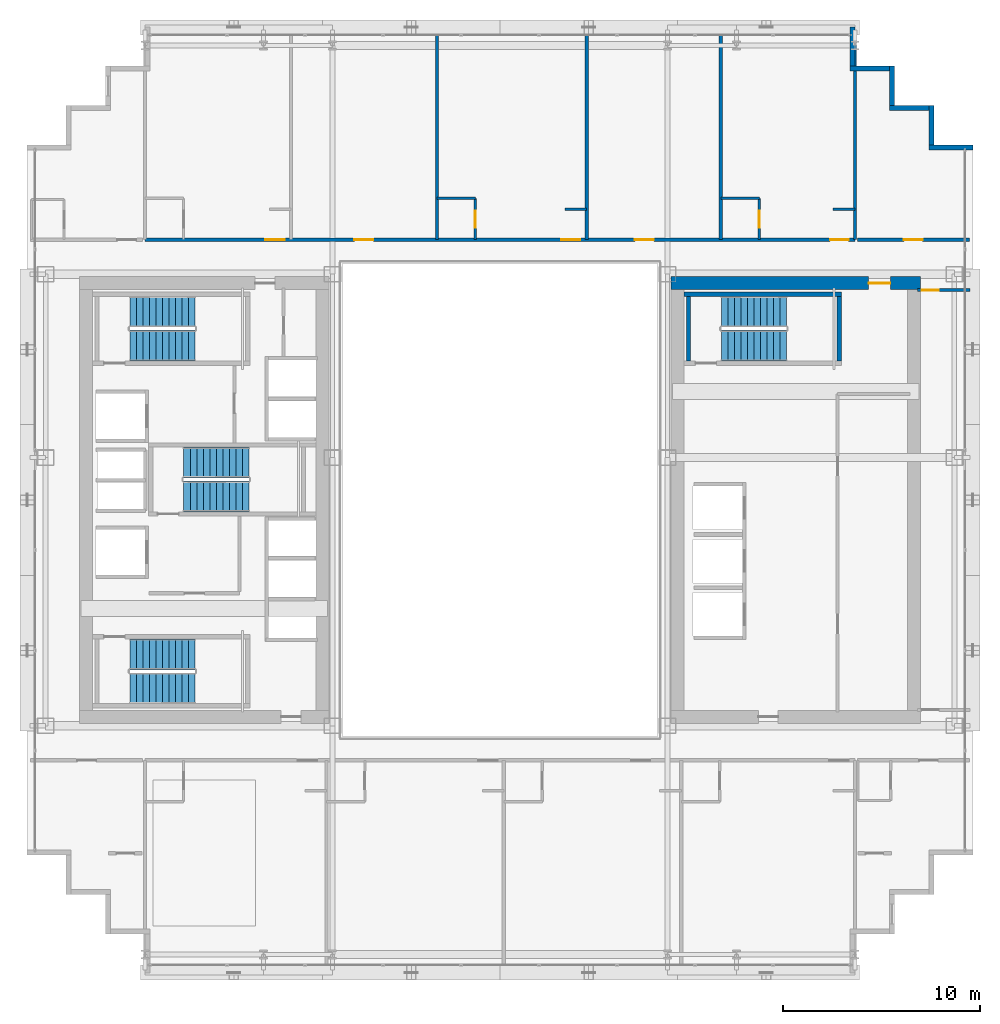
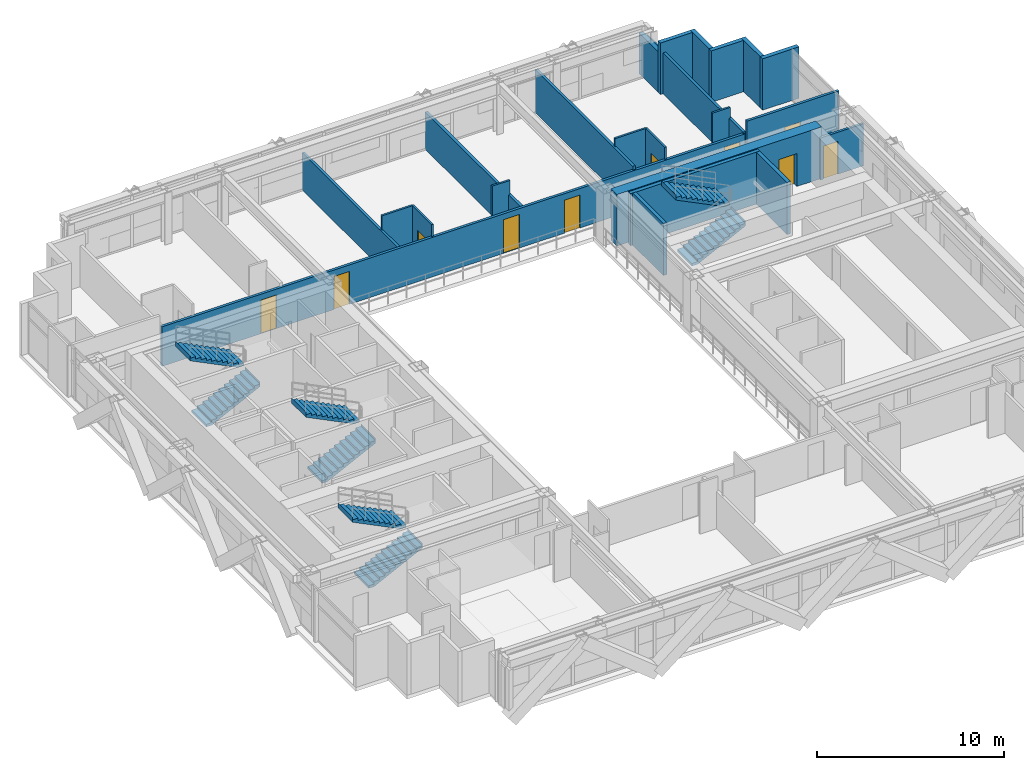
# One storey, part 30 of 34: 23 walls, 10 doors, 8 stair flights, 10 openings, 4 elements without a shape of their own.
"""IFC4 building model written with IfcOpenShell, lengths in metres."""

from ifc_helpers import new_model, si_unit, direction, frame, frame_2d, origin, place, context, subcontext, project, spatial, polyline, rectangle, outline, extrude, source, transform, mapped, material, layer, layer_set, type_object, element, fill, aggregate, save


model = new_model("IFC4")

# Units and contexts
model_context = context("Model", 3, precision=1e-05, world=origin(), true_north=direction((0.0, 1.0)))
body_context = subcontext(model_context, "Body", "Model", "MODEL_VIEW")
ifc_project = project(units=[si_unit("LENGTHUNIT", "METRE"), si_unit("AREAUNIT", "SQUARE_METRE"), si_unit("VOLUMEUNIT", "CUBIC_METRE"), si_unit("PLANEANGLEUNIT", "RADIAN"), si_unit("MASSUNIT", "GRAM", prefix="KILO")], contexts=[model_context])

# Site, building, storey
site_placement = place(None, origin())
site = spatial("IfcSite", under=ifc_project, at=site_placement, CompositionType="ELEMENT")
building_placement = place(site_placement, origin())
building = spatial("IfcBuilding", under=site, at=building_placement, Name="Ocotamira Hotel", CompositionType="ELEMENT")
storey_placement = place(building_placement, frame((0.0, 0.0, 111.60009765625)))
storey = spatial("IfcBuildingStorey", under=building, at=storey_placement, Name="L27", CompositionType="ELEMENT", Elevation=111.60009765625)

# Wall, opening, door
ifc_material_1 = material(Name="Concrete C60/75", Category="concrete")
ifc_layer_1 = layer(ifc_material_1, 0.64990234375)
ifc_layer_set_1 = layer_set([ifc_layer_1], Name="Concrete C60/75")
wall_type_1 = type_object("IfcWallType", Name="WL-CORE-650", PredefinedType="SHEAR", material=ifc_layer_set_1)
wall_1_placement = place(storey_placement, frame((40.675048828125, 37.0, 0.0), z_axis=(0.0, 0.0, 1.0), x_axis=(1.0, 0.0, 0.0)))
wall_1 = element("IfcWall", 1, at=wall_1_placement, inside=storey, type_object=wall_type_1, Name="L27 Shear Core Wall ECORE-N", PredefinedType="SHEAR", context=body_context, shape_type="SweptSolid", body=[
    extrude(rectangle(XDim=12.64990234375, YDim=0.64990234375, at=frame_2d((6.324951171875, 0.0))), origin(), (0.0, 0.0, 1.0), 3.35986328125),
])
opening_1_placement = place(wall_1_placement, frame((10.02490234375, 0.0, 0.0)))
opening_1 = element("IfcOpeningElement", 2, at=opening_1_placement, cuts=wall_1, Name="Opening D-FR1", PredefinedType="OPENING", context=body_context, shape_type="SweptSolid", body=[
    extrude(rectangle(XDim=1.10009765625, YDim=2.14990234375, at=frame_2d((0.550048828125, 1.074951171875))), frame((0.0, 0.3349609375, 0.0), z_axis=(0.0, -1.0, 0.0), x_axis=(1.0, 0.0, 0.0)), (0.0, 0.0, 1.0), 0.669921875),
])
ifc_material_2 = material(Name="Fire-rated acoustic timber-veneer door", Category="wood")
door_type_1 = type_object("IfcDoorType", Name="DR-FIRE-1100", OperationType="NOTDEFINED", PredefinedType="DOOR", material=ifc_material_2)
shared_shape_1 = source(origin(), body_context, "Body", "SweptSolid", [
    extrude(rectangle(XDim=1.10009765625, YDim=2.14990234375, at=frame_2d((0.550048828125, 1.074951171875))), frame((0.0, 0.02490234375, 0.0), z_axis=(0.0, -1.0, 0.0), x_axis=(1.0, 0.0, 0.0)), (0.0, 0.0, 1.0), 0.050048828125),
])
door_1_placement = place(opening_1_placement, origin())
door_1 = element("IfcDoor", 3, at=door_1_placement, inside=storey, type_object=door_type_1, Name="L27 Door ID-L27-ELOB-N-D [ID-L27-ELOB-N-D]", OperationType="SINGLE_SWING_LEFT", OverallHeight=2.14990234375, OverallWidth=1.10009765625, PredefinedType="DOOR", context=body_context, shape_type="MappedRepresentation", body=[
    mapped(shared_shape_1, transform((0.0, 0.0, 0.0), scale=1.0)),
])
fill(opening_1, door_1)

# Walls
ifc_material_3 = material(Name="Precast concrete C45/55", Category="concrete")
ifc_layer_2 = layer(ifc_material_3, 0.25)
ifc_layer_set_2 = layer_set([ifc_layer_2], Name="Precast concrete C45/55")
wall_type_2 = type_object("IfcWallType", Name="WL-EXT-SER-250", PredefinedType="SOLIDWALL", material=ifc_layer_set_2)
wall_2_placement = place(storey_placement, frame((56.0, 43.875, 0.0), z_axis=(0.0, 0.0, 1.0), x_axis=(-1.0, 0.0, 0.0)))
element("IfcWall", 4, at=wall_2_placement, inside=storey, type_object=wall_type_2, Name="L27 Serrated Corner Wall 07", PredefinedType="SOLIDWALL", context=body_context, shape_type="SweptSolid", body=[
    extrude(rectangle(XDim=2.25, YDim=0.25, at=frame_2d((1.125, 0.0))), origin(), (0.0, 0.0, 1.0), 3.35986328125),
])
for number, where, z_axis, x_axis, name in (
    (5, (53.875, 44.0, 0.0), (0.0, 0.0, 1.0), (0.0, 1.0, 0.0), "L27 Serrated Corner Wall 08"),
    (6, (53.75, 45.875, 0.0), (0.0, 0.0, 1.0), (-1.0, 0.0, 0.0), "L27 Serrated Corner Wall 09"),
    (7, (51.875, 46.0, 0.0), (0.0, 0.0, 1.0), (0.0, 1.0, 0.0), "L27 Serrated Corner Wall 10"),
    (8, (51.75, 47.875, 0.0), (0.0, 0.0, 1.0), (-1.0, 0.0, 0.0), "L27 Serrated Corner Wall 11"),
):
    element("IfcWall", number, at=place(storey_placement, frame(where, z_axis=z_axis, x_axis=x_axis)), inside=storey, type_object=wall_type_2, Name=name, PredefinedType="SOLIDWALL", context=body_context, shape_type="SweptSolid", body=[
        extrude(rectangle(XDim=2.0, YDim=0.25, at=frame_2d((1.0, 0.0))), origin(), (0.0, 0.0, 1.0), 3.35986328125),
    ])
wall_3_placement = place(storey_placement, frame((49.875, 48.0, 0.0), z_axis=(0.0, 0.0, 1.0), x_axis=(0.0, 1.0, 0.0)))
element("IfcWall", 9, at=wall_3_placement, inside=storey, type_object=wall_type_2, Name="L27 Serrated Corner Wall 12", PredefinedType="SOLIDWALL", context=body_context, shape_type="SweptSolid", body=[
    extrude(rectangle(XDim=2.0, YDim=0.25, at=frame_2d((1.0, 0.0))), origin(), (0.0, 0.0, 1.0), 2.6669921875),
])

# Wall, opening, door
ifc_material_4 = material(Name="Acoustic double-layer fire gypsum board partition", Category="gypsum")
ifc_layer_3 = layer(ifc_material_4, 0.159912109375)
ifc_layer_set_3 = layer_set([ifc_layer_3], Name="Acoustic double-layer fire gypsum board partition")
wall_type_3 = type_object("IfcWallType", Name="WL-FIRE-160", PredefinedType="PARTITIONING", material=ifc_layer_set_3)
wall_4_placement = place(storey_placement, frame((50.1201171875, 39.199951171875, 0.0), z_axis=(0.0, 0.0, 1.0), x_axis=(1.0, 0.0, 0.0)))
wall_4 = element("IfcWall", 10, at=wall_4_placement, inside=storey, type_object=wall_type_3, Name="L27 Interior Wall PW-L27-Z2B-CNE-CW", PredefinedType="PARTITIONING", context=body_context, shape_type="SweptSolid", body=[
    extrude(rectangle(XDim=5.679931640625, YDim=0.159912109375, at=frame_2d((2.83984375, 0.0))), origin(), (0.0, 0.0, 1.0), 3.35986328125),
])
opening_2_placement = place(wall_4_placement, frame((2.360107421875, 0.0, 0.0)))
opening_2 = element("IfcOpeningElement", 11, at=opening_2_placement, cuts=wall_4, Name="Opening D-SV4", PredefinedType="OPENING", context=body_context, shape_type="SweptSolid", body=[
    extrude(rectangle(XDim=0.9599609375, YDim=2.14990234375, at=frame_2d((0.47998046875, 1.074951171875))), frame((0.0, 0.08984375, 0.0), z_axis=(0.0, -1.0, 0.0), x_axis=(1.0, 0.0, 0.0)), (0.0, 0.0, 1.0), 0.179931640625),
])
ifc_material_5 = material(Name="Fire-rated accessible walnut salon door", Category="wood")
door_type_2 = type_object("IfcDoorType", Name="DR-SERV-960", OperationType="NOTDEFINED", PredefinedType="DOOR", material=ifc_material_5)
shared_shape_2 = source(origin(), body_context, "Body", "SweptSolid", [
    extrude(rectangle(XDim=0.9599609375, YDim=2.14990234375, at=frame_2d((0.47998046875, 1.074951171875))), frame((0.0, 0.02490234375, 0.0), z_axis=(0.0, -1.0, 0.0), x_axis=(1.0, 0.0, 0.0)), (0.0, 0.0, 1.0), 0.050048828125),
])
door_2_placement = place(opening_2_placement, origin())
door_2 = element("IfcDoor", 12, at=door_2_placement, inside=storey, type_object=door_type_2, Name="L27 Door ID-L27-Z2B-CNE-CD [ID-L27-Z2B-CNE-CD]", OperationType="SINGLE_SWING_LEFT", OverallHeight=2.14990234375, OverallWidth=0.9599609375, PredefinedType="DOOR", context=body_context, shape_type="MappedRepresentation", body=[
    mapped(shared_shape_2, transform((0.0, 0.0, 0.0), scale=1.0)),
])
fill(opening_2, door_2)

# Wall, openings, doors
wall_5_placement = place(storey_placement, frame((14.0, 39.199951171875, 0.0), z_axis=(0.0, 0.0, 1.0), x_axis=(1.0, 0.0, 0.0)))
wall_5 = element("IfcWall", 13, at=wall_5_placement, inside=storey, type_object=wall_type_3, Name="L27 Interior Wall PW-L27-Z2BN-CORRW", PredefinedType="PARTITIONING", context=body_context, shape_type="SweptSolid", body=[
    extrude(rectangle(XDim=36.0, YDim=0.159912109375, at=frame_2d((18.0, 0.0))), origin(), (0.0, 0.0, 1.0), 2.580810546875),
])
opening_3_placement = place(wall_5_placement, frame((6.10009765625, 0.0, 0.0)))
opening_3 = element("IfcOpeningElement", 14, at=opening_3_placement, cuts=wall_5, Name="Opening D-GR2", PredefinedType="OPENING", context=body_context, shape_type="SweptSolid", body=[
    extrude(rectangle(XDim=0.97998046875, YDim=2.199951171875, at=frame_2d((0.489990234375, 1.10009765625))), frame((0.0, 0.08984375, 0.0), z_axis=(0.0, -1.0, 0.0), x_axis=(1.0, 0.0, 0.0)), (0.0, 0.0, 1.0), 0.179931640625),
])
opening_4_placement = place(wall_5_placement, frame((10.6201171875, 0.0, 0.0)))
opening_4 = element("IfcOpeningElement", 15, at=opening_4_placement, cuts=wall_5, Name="Opening D-SV4", PredefinedType="OPENING", context=body_context, shape_type="SweptSolid", body=[
    extrude(rectangle(XDim=0.9599609375, YDim=2.14990234375, at=frame_2d((0.47998046875, 1.074951171875))), frame((0.0, 0.08984375, 0.0), z_axis=(0.0, -1.0, 0.0), x_axis=(1.0, 0.0, 0.0)), (0.0, 0.0, 1.0), 0.179931640625),
])
opening_5_placement = place(wall_5_placement, frame((21.10009765625, 0.0, 0.0)))
opening_5 = element("IfcOpeningElement", 16, at=opening_5_placement, cuts=wall_5, Name="Opening D-GR2", PredefinedType="OPENING", context=body_context, shape_type="SweptSolid", body=[
    extrude(rectangle(XDim=0.97998046875, YDim=2.199951171875, at=frame_2d((0.489990234375, 1.10009765625))), frame((0.0, 0.08984375, 0.0), z_axis=(0.0, -1.0, 0.0), x_axis=(1.0, 0.0, 0.0)), (0.0, 0.0, 1.0), 0.179931640625),
])
opening_6_placement = place(wall_5_placement, frame((24.840087890625, 0.0, 0.0)))
opening_6 = element("IfcOpeningElement", 17, at=opening_6_placement, cuts=wall_5, Name="Opening D-SV4", PredefinedType="OPENING", context=body_context, shape_type="SweptSolid", body=[
    extrude(rectangle(XDim=0.9599609375, YDim=2.14990234375, at=frame_2d((0.47998046875, 1.074951171875))), frame((0.0, 0.08984375, 0.0), z_axis=(0.0, -1.0, 0.0), x_axis=(1.0, 0.0, 0.0)), (0.0, 0.0, 1.0), 0.179931640625),
])
opening_7_placement = place(wall_5_placement, frame((34.739990234375, 0.0, 0.0)))
opening_7 = element("IfcOpeningElement", 18, at=opening_7_placement, cuts=wall_5, Name="Opening D-GR1", PredefinedType="OPENING", context=body_context, shape_type="SweptSolid", body=[
    extrude(rectangle(XDim=0.93994140625, YDim=2.14990234375, at=frame_2d((0.469970703125, 1.074951171875))), frame((0.0, 0.08984375, 0.0), z_axis=(0.0, -1.0, 0.0), x_axis=(1.0, 0.0, 0.0)), (0.0, 0.0, 1.0), 0.179931640625),
])
door_3_placement = place(opening_4_placement, origin())
door_3 = element("IfcDoor", 19, at=door_3_placement, inside=storey, type_object=door_type_2, Name="L27 Door ID-L27-Z2BN-AMD2 [ID-L27-Z2BN-AMD2]", OperationType="SINGLE_SWING_RIGHT", OverallHeight=2.14990234375, OverallWidth=0.9599609375, PredefinedType="DOOR", context=body_context, shape_type="MappedRepresentation", body=[
    mapped(shared_shape_2, transform((0.0, 0.0, 0.0), scale=1.0)),
])
fill(opening_4, door_3)
door_4_placement = place(opening_6_placement, origin())
door_4 = element("IfcDoor", 20, at=door_4_placement, inside=storey, type_object=door_type_2, Name="L27 Door ID-L27-Z2BN-AMD4 [ID-L27-Z2BN-AMD4]", OperationType="SINGLE_SWING_RIGHT", OverallHeight=2.14990234375, OverallWidth=0.9599609375, PredefinedType="DOOR", context=body_context, shape_type="MappedRepresentation", body=[
    mapped(shared_shape_2, transform((0.0, 0.0, 0.0), scale=1.0)),
])
fill(opening_6, door_4)
ifc_material_6 = material(Name="Solid-core walnut suite entrance fire door", Category="wood")
door_type_3 = type_object("IfcDoorType", Name="DR-GUEST-940", OperationType="NOTDEFINED", PredefinedType="DOOR", material=ifc_material_6)
shared_shape_3 = source(origin(), body_context, "Body", "SweptSolid", [
    extrude(rectangle(XDim=0.93994140625, YDim=2.14990234375, at=frame_2d((0.469970703125, 1.074951171875))), frame((0.0, 0.02490234375, 0.0), z_axis=(0.0, -1.0, 0.0), x_axis=(1.0, 0.0, 0.0)), (0.0, 0.0, 1.0), 0.050048828125),
])
door_5_placement = place(opening_7_placement, origin())
door_5 = element("IfcDoor", 21, at=door_5_placement, inside=storey, type_object=door_type_3, Name="L27 Door ID-L27-Z2BN-RMD5 [ID-L27-Z2BN-RMD5]", OperationType="SINGLE_SWING_LEFT", OverallHeight=2.14990234375, OverallWidth=0.93994140625, PredefinedType="DOOR", context=body_context, shape_type="MappedRepresentation", body=[
    mapped(shared_shape_3, transform((0.0, 0.0, 0.0), scale=1.0)),
])
fill(opening_7, door_5)
ifc_material_7 = material(Name="Solid-core walnut grand-suite entrance fire door", Category="wood")
door_type_4 = type_object("IfcDoorType", Name="DR-GUEST-980", OperationType="NOTDEFINED", PredefinedType="DOOR", material=ifc_material_7)
shared_shape_4 = source(origin(), body_context, "Body", "SweptSolid", [
    extrude(rectangle(XDim=0.97998046875, YDim=2.199951171875, at=frame_2d((0.489990234375, 1.10009765625))), frame((0.0, 0.02490234375, 0.0), z_axis=(0.0, -1.0, 0.0), x_axis=(1.0, 0.0, 0.0)), (0.0, 0.0, 1.0), 0.050048828125),
])
door_6_placement = place(opening_3_placement, origin())
door_6 = element("IfcDoor", 22, at=door_6_placement, inside=storey, type_object=door_type_4, Name="L27 Door ID-L27-Z2BN-RMD1 [ID-L27-Z2BN-RMD1]", OperationType="SINGLE_SWING_LEFT", OverallHeight=2.199951171875, OverallWidth=0.97998046875, PredefinedType="DOOR", context=body_context, shape_type="MappedRepresentation", body=[
    mapped(shared_shape_4, transform((0.0, 0.0, 0.0), scale=1.0)),
])
fill(opening_3, door_6)
door_7_placement = place(opening_5_placement, origin())
door_7 = element("IfcDoor", 23, at=door_7_placement, inside=storey, type_object=door_type_4, Name="L27 Door ID-L27-Z2BN-RMD3 [ID-L27-Z2BN-RMD3]", OperationType="SINGLE_SWING_LEFT", OverallHeight=2.199951171875, OverallWidth=0.97998046875, PredefinedType="DOOR", context=body_context, shape_type="MappedRepresentation", body=[
    mapped(shared_shape_4, transform((0.0, 0.0, 0.0), scale=1.0)),
])
fill(opening_5, door_7)

# Wall, opening, door
ifc_material_8 = material(Name="Moisture-resistant en-suite tile and gypsum partition", Category="gypsum")
ifc_layer_4 = layer(ifc_material_8, 0.1201171875)
ifc_layer_set_4 = layer_set([ifc_layer_4], Name="Moisture-resistant en-suite tile and gypsum partition")
wall_type_4 = type_object("IfcWallType", Name="WL-PART-120", PredefinedType="PARTITIONING", material=ifc_layer_set_4)
wall_6_placement = place(storey_placement, frame((30.75, 39.199951171875, 0.0), z_axis=(0.0, 0.0, 1.0), x_axis=(0.0, 1.0, 0.0)))
wall_6 = element("IfcWall", 24, at=wall_6_placement, inside=storey, type_object=wall_type_4, Name="L27 Interior Wall PW-L27-Z2BN-BAE3", PredefinedType="PARTITIONING", context=body_context, shape_type="SweptSolid", body=[
    extrude(rectangle(XDim=2.10009765625, YDim=0.1201171875, at=frame_2d((1.050048828125, 0.0))), origin(), (0.0, 0.0, 1.0), 3.35986328125),
])
opening_8_placement = place(wall_6_placement, frame((0.6201171875, 0.0, 0.0)))
opening_8 = element("IfcOpeningElement", 25, at=opening_8_placement, cuts=wall_6, Name="Opening D-BA1", PredefinedType="OPENING", context=body_context, shape_type="SweptSolid", body=[
    extrude(rectangle(XDim=0.860107421875, YDim=2.10009765625, at=frame_2d((0.43017578125, 1.050048828125))), frame((0.0, 0.070068359375, 0.0), z_axis=(0.0, -1.0, 0.0), x_axis=(1.0, 0.0, 0.0)), (0.0, 0.0, 1.0), 0.14013671875),
])
ifc_material_9 = material(Name="Moisture-sealed en-suite timber door", Category="wood")
door_type_5 = type_object("IfcDoorType", Name="DR-BATH-860", OperationType="NOTDEFINED", PredefinedType="DOOR", material=ifc_material_9)
shared_shape_5 = source(origin(), body_context, "Body", "SweptSolid", [
    extrude(rectangle(XDim=0.860107421875, YDim=2.10009765625, at=frame_2d((0.43017578125, 1.050048828125))), frame((0.0, 0.02490234375, 0.0), z_axis=(0.0, -1.0, 0.0), x_axis=(1.0, 0.0, 0.0)), (0.0, 0.0, 1.0), 0.050048828125),
])
door_8_placement = place(opening_8_placement, origin())
door_8 = element("IfcDoor", 26, at=door_8_placement, inside=storey, type_object=door_type_5, Name="L27 Door ID-L27-Z2BN-BAD3 [ID-L27-Z2BN-BAD3]", OperationType="SINGLE_SWING_RIGHT", OverallHeight=2.10009765625, OverallWidth=0.860107421875, PredefinedType="DOOR", context=body_context, shape_type="MappedRepresentation", body=[
    mapped(shared_shape_5, transform((0.0, 0.0, 0.0), scale=1.0)),
])
fill(opening_8, door_8)

# Walls
wall_7_placement = place(storey_placement, frame((28.800048828125, 41.300048828125, 0.0), z_axis=(0.0, 0.0, 1.0), x_axis=(1.0, 0.0, 0.0)))
element("IfcWall", 27, at=wall_7_placement, inside=storey, type_object=wall_type_4, Name="L27 Interior Wall PW-L27-Z2BN-BAN3", PredefinedType="PARTITIONING", context=body_context, shape_type="SweptSolid", body=[
    extrude(rectangle(XDim=1.949951171875, YDim=0.1201171875, at=frame_2d((0.97509765625, 0.0))), origin(), (0.0, 0.0, 1.0), 3.35986328125),
])
wall_8_placement = place(storey_placement, frame((35.300048828125, 40.75, 0.0), z_axis=(0.0, 0.0, 1.0), x_axis=(1.0, 0.0, 0.0)))
element("IfcWall", 28, at=wall_8_placement, inside=storey, type_object=wall_type_4, Name="L27 Interior Wall PW-L27-Z2BN-DRN3", PredefinedType="PARTITIONING", context=body_context, shape_type="SweptSolid", body=[
    extrude(rectangle(XDim=1.099853515625, YDim=0.1201171875, at=frame_2d((0.5498046875, 0.0))), origin(), (0.0, 0.0, 1.0), 3.35986328125),
])

# Wall, opening, door
wall_9_placement = place(storey_placement, frame((45.14990234375, 39.199951171875, 0.0), z_axis=(0.0, 0.0, 1.0), x_axis=(0.0, 1.0, 0.0)))
wall_9 = element("IfcWall", 29, at=wall_9_placement, inside=storey, type_object=wall_type_4, Name="L27 Interior Wall PW-L27-Z2BN-BAE5", PredefinedType="PARTITIONING", context=body_context, shape_type="SweptSolid", body=[
    extrude(rectangle(XDim=2.10009765625, YDim=0.1201171875, at=frame_2d((1.050048828125, 0.0))), origin(), (0.0, 0.0, 1.0), 3.35986328125),
])
opening_9_placement = place(wall_9_placement, frame((0.6201171875, 0.0, 0.0)))
opening_9 = element("IfcOpeningElement", 30, at=opening_9_placement, cuts=wall_9, Name="Opening D-BA1", PredefinedType="OPENING", context=body_context, shape_type="SweptSolid", body=[
    extrude(rectangle(XDim=0.860107421875, YDim=2.10009765625, at=frame_2d((0.43017578125, 1.050048828125))), frame((0.0, 0.070068359375, 0.0), z_axis=(0.0, -1.0, 0.0), x_axis=(1.0, 0.0, 0.0)), (0.0, 0.0, 1.0), 0.14013671875),
])
door_9_placement = place(opening_9_placement, origin())
door_9 = element("IfcDoor", 31, at=door_9_placement, inside=storey, type_object=door_type_5, Name="L27 Door ID-L27-Z2BN-BAD5 [ID-L27-Z2BN-BAD5]", OperationType="SINGLE_SWING_RIGHT", OverallHeight=2.10009765625, OverallWidth=0.860107421875, PredefinedType="DOOR", context=body_context, shape_type="MappedRepresentation", body=[
    mapped(shared_shape_5, transform((0.0, 0.0, 0.0), scale=1.0)),
])
fill(opening_9, door_9)

# Walls
wall_10_placement = place(storey_placement, frame((43.199951171875, 41.300048828125, 0.0), z_axis=(0.0, 0.0, 1.0), x_axis=(1.0, 0.0, 0.0)))
element("IfcWall", 32, at=wall_10_placement, inside=storey, type_object=wall_type_4, Name="L27 Interior Wall PW-L27-Z2BN-BAN5", PredefinedType="PARTITIONING", context=body_context, shape_type="SweptSolid", body=[
    extrude(rectangle(XDim=1.949951171875, YDim=0.1201171875, at=frame_2d((0.97509765625, 0.0))), origin(), (0.0, 0.0, 1.0), 3.35986328125),
])
wall_11_placement = place(storey_placement, frame((48.89990234375, 40.75, 0.0), z_axis=(0.0, 0.0, 1.0), x_axis=(1.0, 0.0, 0.0)))
element("IfcWall", 33, at=wall_11_placement, inside=storey, type_object=wall_type_4, Name="L27 Interior Wall PW-L27-Z2BN-DRN5", PredefinedType="PARTITIONING", context=body_context, shape_type="SweptSolid", body=[
    extrude(rectangle(XDim=1.10009765625, YDim=0.1201171875, at=frame_2d((0.550048828125, 0.0))), origin(), (0.0, 0.0, 1.0), 3.35986328125),
])

# Wall, opening, door
ifc_material_10 = material(Name="Acoustic hospitality gypsum board partition", Category="gypsum")
ifc_layer_5 = layer(ifc_material_10, 0.14990234375)
ifc_layer_set_5 = layer_set([ifc_layer_5], Name="Acoustic hospitality gypsum board partition")
wall_type_5 = type_object("IfcWallType", Name="WL-PART-150", PredefinedType="PARTITIONING", material=ifc_layer_set_5)
wall_12_placement = place(storey_placement, frame((53.179931640625, 36.639892578125, 0.0), z_axis=(0.0, 0.0, 1.0), x_axis=(1.0, 0.0, 0.0)))
wall_12 = element("IfcWall", 34, at=wall_12_placement, inside=storey, type_object=wall_type_5, Name="L27 Interior Wall PW-L27-Z2B-EF-WN", PredefinedType="PARTITIONING", context=body_context, shape_type="SweptSolid", body=[
    extrude(rectangle(XDim=2.66015625, YDim=0.14990234375, at=frame_2d((1.330078125, 0.0))), origin(), (0.0, 0.0, 1.0), 2.742919921875),
])
opening_10_placement = place(wall_12_placement, frame((0.199951171875, 0.0, 0.0)))
opening_10 = element("IfcOpeningElement", 35, at=opening_10_placement, cuts=wall_12, Name="Opening D-SV2", PredefinedType="OPENING", context=body_context, shape_type="SweptSolid", body=[
    extrude(rectangle(XDim=0.8798828125, YDim=2.14990234375, at=frame_2d((0.43994140625, 1.074951171875))), frame((0.0, 0.0849609375, 0.0), z_axis=(0.0, -1.0, 0.0), x_axis=(1.0, 0.0, 0.0)), (0.0, 0.0, 1.0), 0.169921875),
])
ifc_material_11 = material(Name="Fire-rated painted steel service door", Category="steel")
door_type_6 = type_object("IfcDoorType", Name="DR-SERV-880", OperationType="NOTDEFINED", PredefinedType="DOOR", material=ifc_material_11)
shared_shape_6 = source(origin(), body_context, "Body", "SweptSolid", [
    extrude(rectangle(XDim=0.8798828125, YDim=2.14990234375, at=frame_2d((0.43994140625, 1.074951171875))), frame((0.0, 0.02490234375, 0.0), z_axis=(0.0, -1.0, 0.0), x_axis=(1.0, 0.0, 0.0)), (0.0, 0.0, 1.0), 0.050048828125),
])
door_10_placement = place(opening_10_placement, origin())
door_10 = element("IfcDoor", 36, at=door_10_placement, inside=storey, type_object=door_type_6, Name="L27 Door ID-L27-Z2B-EF-DN [ID-L27-Z2B-EF-DN]", OperationType="SINGLE_SWING_LEFT", OverallHeight=2.14990234375, OverallWidth=0.8798828125, PredefinedType="DOOR", context=body_context, shape_type="MappedRepresentation", body=[
    mapped(shared_shape_6, transform((0.0, 0.0, 0.0), scale=1.0)),
])
fill(opening_10, door_10)

# Walls
ifc_material_12 = material(Name="Acoustic double-stud hospitality gypsum partition", Category="gypsum")
ifc_layer_6 = layer(ifc_material_12, 0.159912109375)
ifc_layer_set_6 = layer_set([ifc_layer_6], Name="Acoustic double-stud hospitality gypsum partition")
wall_type_6 = type_object("IfcWallType", Name="WL-PART-160", PredefinedType="PARTITIONING", material=ifc_layer_set_6)
wall_13_placement = place(storey_placement, frame((50.0, 39.199951171875, 0.0), z_axis=(0.0, 0.0, 1.0), x_axis=(0.0, 1.0, 0.0)))
element("IfcWall", 37, at=wall_13_placement, inside=storey, type_object=wall_type_6, Name="L27 Interior Wall PW-L27-Z2BN-PWEND", PredefinedType="PARTITIONING", context=body_context, shape_type="SweptSolid", body=[
    extrude(rectangle(XDim=10.43994140625, YDim=0.159912109375, at=frame_2d((5.219970703125, 0.0))), origin(), (0.0, 0.0, 1.0), 2.6669921875),
])
wall_14_placement = place(storey_placement, frame((28.800048828125, 39.199951171875, 0.0), z_axis=(0.0, 0.0, 1.0), x_axis=(0.0, 1.0, 0.0)))
element("IfcWall", 38, at=wall_14_placement, inside=storey, type_object=wall_type_6, Name="L27 Interior Wall PW-L27-Z2BN-PW2", PredefinedType="PARTITIONING", context=body_context, shape_type="SweptSolid", body=[
    extrude(rectangle(XDim=10.43994140625, YDim=0.159912109375, at=frame_2d((5.219970703125, 0.0))), origin(), (0.0, 0.0, 1.0), 2.432861328125),
])
wall_15_placement = place(storey_placement, frame((43.199951171875, 39.199951171875, 0.0), z_axis=(0.0, 0.0, 1.0), x_axis=(0.0, 1.0, 0.0)))
element("IfcWall", 39, at=wall_15_placement, inside=storey, type_object=wall_type_6, Name="L27 Interior Wall PW-L27-Z2BN-PW4", PredefinedType="PARTITIONING", context=body_context, shape_type="SweptSolid", body=[
    extrude(rectangle(XDim=10.43994140625, YDim=0.159912109375, at=frame_2d((5.219970703125, 0.0))), origin(), (0.0, 0.0, 1.0), 2.822998046875),
])
ifc_material_13 = material(Name="Double-stud suite party gypsum partition", Category="gypsum")
ifc_layer_7 = layer(ifc_material_13, 0.175048828125)
ifc_layer_set_7 = layer_set([ifc_layer_7], Name="Double-stud suite party gypsum partition")
wall_type_7 = type_object("IfcWallType", Name="WL-PART-175", PredefinedType="PARTITIONING", material=ifc_layer_set_7)
wall_16_placement = place(storey_placement, frame((36.39990234375, 39.199951171875, 0.0), z_axis=(0.0, 0.0, 1.0), x_axis=(0.0, 1.0, 0.0)))
element("IfcWall", 40, at=wall_16_placement, inside=storey, type_object=wall_type_7, Name="L27 Interior Wall PW-L27-Z2BN-PW3", PredefinedType="PARTITIONING", context=body_context, shape_type="SweptSolid", body=[
    extrude(rectangle(XDim=10.43994140625, YDim=0.175048828125, at=frame_2d((5.219970703125, 0.0))), origin(), (0.0, 0.0, 1.0), 2.432861328125),
])
ifc_material_14 = material(Name="Concrete C50/60", Category="concrete")
ifc_layer_8 = layer(ifc_material_14, 0.219970703125)
ifc_layer_set_8 = layer_set([ifc_layer_8], Name="Concrete C50/60")
wall_type_8 = type_object("IfcWallType", Name="WL-STAIR-220", PredefinedType="SHEAR", material=ifc_layer_set_8)
wall_17_placement = place(storey_placement, frame((41.324951171875, 36.43994140625, 0.0), z_axis=(0.0, 0.0, 1.0), x_axis=(1.0, 0.0, 0.0)))
element("IfcWall", 41, at=wall_17_placement, inside=storey, type_object=wall_type_8, Name="L27 Stair Shaft Structural Wall ST-4-N", PredefinedType="SHEAR", context=body_context, shape_type="SweptSolid", body=[
    extrude(rectangle(XDim=7.985107421875, YDim=0.219970703125, at=frame_2d((3.99267578125, 0.0))), origin(), (0.0, 0.0, 1.0), 3.39990234375),
])
for number, where, z_axis, x_axis, name in (
    (42, (41.56005859375, 33.050048828125, 0.0), (0.0, 0.0, 1.0), (0.0, 1.0, 0.0), "L27 Stair Shaft Structural Wall ST-4-W"),
    (43, (49.199951171875, 33.050048828125, 0.0), (0.0, 0.0, 1.0), (0.0, 1.0, 0.0), "L27 Stair Shaft Structural Wall ST-4-E"),
):
    element("IfcWall", number, at=place(storey_placement, frame(where, z_axis=z_axis, x_axis=x_axis)), inside=storey, type_object=wall_type_8, Name=name, PredefinedType="SHEAR", context=body_context, shape_type="SweptSolid", body=[
        extrude(rectangle(XDim=3.280029296875, YDim=0.219970703125, at=frame_2d((1.64013671875, 0.0))), origin(), (0.0, 0.0, 1.0), 3.39990234375),
    ])

# Stair, stair flights
ifc_material_15 = material(Name="Concrete C40/50", Category="concrete")
stair_type = type_object("IfcStairType", Name="ST-CORE-1560", PredefinedType="HALF_TURN_STAIR", material=ifc_material_15)
stair_1_placement = place(storey_placement, origin())
stair_1 = element("IfcStair", 44, at=stair_1_placement, inside=storey, type_object=stair_type, Name="L27 Exit Stair ST-1", PredefinedType="HALF_TURN_STAIR")
stair_flight_type = type_object("IfcStairFlightType", Name="STF-CORE-1560", PredefinedType="STRAIGHT", material=ifc_material_15)
shared_shape_7 = source(origin(), body_context, "Body", "SweptSolid", [
    extrude(outline(polyline([(-0.00390625, 0.0), (-0.00390625, 0.16357421875), (0.330078125, 0.16357421875), (0.330078125, 0.327392578125), (0.659912109375, 0.327392578125), (0.659912109375, 0.490966796875), (0.989990234375, 0.490966796875), (0.989990234375, 0.654541015625), (1.320068359375, 0.654541015625), (1.320068359375, 0.818115234375), (1.64990234375, 0.818115234375), (1.64990234375, 0.98193359375), (1.97998046875, 0.98193359375), (1.97998046875, 1.1455078125), (2.31005859375, 1.1455078125), (2.31005859375, 1.30908203125), (2.639892578125, 1.30908203125), (2.639892578125, 1.47265625), (2.969970703125, 1.47265625), (2.969970703125, 1.636474609375), (3.300048828125, 1.636474609375), (3.300048828125, 1.800048828125), (3.303955078125, 1.800048828125), (3.303955078125, 1.468994140625), (0.33740234375, 0.0), (-0.00390625, 0.0)])), frame((0.0, 0.780029296875, 0.0), z_axis=(0.0, -1.0, 0.0), x_axis=(1.0, 0.0, 0.0)), (0.0, 0.0, 1.0), 1.56005859375),
])
stair_flight_1_placement = place(storey_placement, frame((13.22998046875, 16.449951171875, 0.0), z_axis=(0.0, 0.0, 1.0), x_axis=(1.0, 0.0, 0.0)))
stair_flight_1 = element("IfcStairFlight", 45, at=stair_flight_1_placement, type_object=stair_flight_type, Name="ST-1 flight 1", NumberOfRisers=11, NumberOfTreads=10, PredefinedType="STRAIGHT", RiserHeight=0.163636364, TreadLength=0.33, context=body_context, shape_type="MappedRepresentation", body=[
    mapped(shared_shape_7, transform((0.0, 0.0, 0.0), scale=1.0)),
])
stair_flight_2_placement = place(storey_placement, frame((16.530029296875, 18.169921875, 1.7998046875), z_axis=(0.0, 0.0, 1.0), x_axis=(-1.0, 0.0, 0.0)))
stair_flight_2 = element("IfcStairFlight", 46, at=stair_flight_2_placement, type_object=stair_flight_type, Name="ST-1 flight 2", NumberOfRisers=11, NumberOfTreads=10, PredefinedType="STRAIGHT", RiserHeight=0.163636364, TreadLength=0.33, context=body_context, shape_type="MappedRepresentation", body=[
    mapped(shared_shape_7, transform((0.0, 0.0, 0.0), scale=1.0)),
])
aggregate(stair_1, [stair_flight_1, stair_flight_2])

stair_2_placement = place(storey_placement, origin())
stair_2 = element("IfcStair", 47, at=stair_2_placement, inside=storey, type_object=stair_type, Name="L27 Exit Stair ST-2", PredefinedType="HALF_TURN_STAIR")
stair_flight_3_placement = place(storey_placement, frame((13.22998046875, 33.830078125, 0.0), z_axis=(0.0, 0.0, 1.0), x_axis=(1.0, 0.0, 0.0)))
stair_flight_3 = element("IfcStairFlight", 48, at=stair_flight_3_placement, type_object=stair_flight_type, Name="ST-2 flight 1", NumberOfRisers=11, NumberOfTreads=10, PredefinedType="STRAIGHT", RiserHeight=0.163636364, TreadLength=0.33, context=body_context, shape_type="MappedRepresentation", body=[
    mapped(shared_shape_7, transform((0.0, 0.0, 0.0), scale=1.0)),
])
stair_flight_4_placement = place(storey_placement, frame((16.530029296875, 35.550048828125, 1.7998046875), z_axis=(0.0, 0.0, 1.0), x_axis=(-1.0, 0.0, 0.0)))
stair_flight_4 = element("IfcStairFlight", 49, at=stair_flight_4_placement, type_object=stair_flight_type, Name="ST-2 flight 2", NumberOfRisers=11, NumberOfTreads=10, PredefinedType="STRAIGHT", RiserHeight=0.163636364, TreadLength=0.33, context=body_context, shape_type="MappedRepresentation", body=[
    mapped(shared_shape_7, transform((0.0, 0.0, 0.0), scale=1.0)),
])
aggregate(stair_2, [stair_flight_3, stair_flight_4])

stair_3_placement = place(storey_placement, origin())
stair_3 = element("IfcStair", 50, at=stair_3_placement, inside=storey, type_object=stair_type, Name="L27 Exit Stair ST-3", PredefinedType="HALF_TURN_STAIR")
stair_flight_5_placement = place(storey_placement, frame((15.9599609375, 26.179931640625, 0.0), z_axis=(0.0, 0.0, 1.0), x_axis=(1.0, 0.0, 0.0)))
stair_flight_5 = element("IfcStairFlight", 51, at=stair_flight_5_placement, type_object=stair_flight_type, Name="ST-3 flight 1", NumberOfRisers=11, NumberOfTreads=10, PredefinedType="STRAIGHT", RiserHeight=0.163636364, TreadLength=0.33, context=body_context, shape_type="MappedRepresentation", body=[
    mapped(shared_shape_7, transform((0.0, 0.0, 0.0), scale=1.0)),
])
stair_flight_6_placement = place(storey_placement, frame((19.260009765625, 27.89990234375, 1.7998046875), z_axis=(0.0, 0.0, 1.0), x_axis=(-1.0, 0.0, 0.0)))
stair_flight_6 = element("IfcStairFlight", 52, at=stair_flight_6_placement, type_object=stair_flight_type, Name="ST-3 flight 2", NumberOfRisers=11, NumberOfTreads=10, PredefinedType="STRAIGHT", RiserHeight=0.163636364, TreadLength=0.33, context=body_context, shape_type="MappedRepresentation", body=[
    mapped(shared_shape_7, transform((0.0, 0.0, 0.0), scale=1.0)),
])
aggregate(stair_3, [stair_flight_5, stair_flight_6])

stair_4_placement = place(storey_placement, origin())
stair_4 = element("IfcStair", 53, at=stair_4_placement, inside=storey, type_object=stair_type, Name="L27 Exit Stair ST-4", PredefinedType="HALF_TURN_STAIR")
stair_flight_7_placement = place(storey_placement, frame((43.22998046875, 33.830078125, 0.0), z_axis=(0.0, 0.0, 1.0), x_axis=(1.0, 0.0, 0.0)))
stair_flight_7 = element("IfcStairFlight", 54, at=stair_flight_7_placement, type_object=stair_flight_type, Name="ST-4 flight 1", NumberOfRisers=11, NumberOfTreads=10, PredefinedType="STRAIGHT", RiserHeight=0.163636364, TreadLength=0.33, context=body_context, shape_type="MappedRepresentation", body=[
    mapped(shared_shape_7, transform((0.0, 0.0, 0.0), scale=1.0)),
])
stair_flight_8_placement = place(storey_placement, frame((46.530029296875, 35.550048828125, 1.7998046875), z_axis=(0.0, 0.0, 1.0), x_axis=(-1.0, 0.0, 0.0)))
stair_flight_8 = element("IfcStairFlight", 55, at=stair_flight_8_placement, type_object=stair_flight_type, Name="ST-4 flight 2", NumberOfRisers=11, NumberOfTreads=10, PredefinedType="STRAIGHT", RiserHeight=0.163636364, TreadLength=0.33, context=body_context, shape_type="MappedRepresentation", body=[
    mapped(shared_shape_7, transform((0.0, 0.0, 0.0), scale=1.0)),
])
aggregate(stair_4, [stair_flight_7, stair_flight_8])

save(model, "model.ifc")
